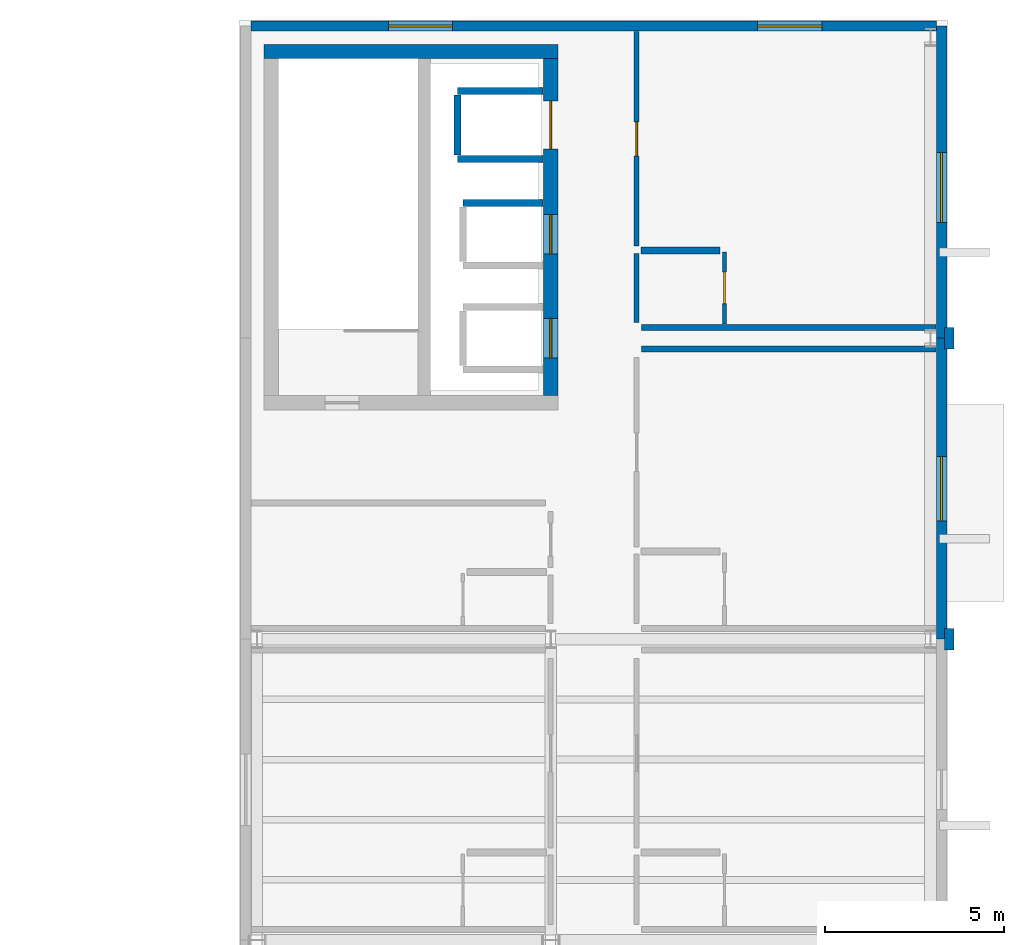
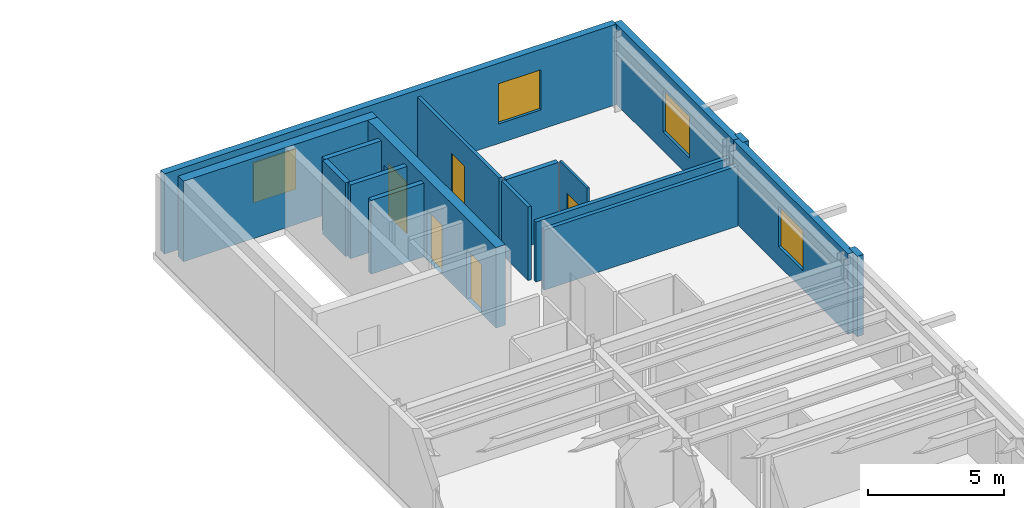
# One storey, part 17 of 19: 17 walls, 5 doors, 4 windows, 9 openings.
"""IFC4 building model written with IfcOpenShell, lengths in metres."""

from ifc_helpers import new_model, si_unit, direction, frame, frame_2d, origin, place, context, subcontext, project, spatial, rectangle, extrude, material, layer, layer_set, type_object, element, fill, save


model = new_model("IFC4")

# Units and contexts
model_context = context("Model", 3, precision=1e-05, world=origin(), true_north=direction((0.0, 1.0)))
body_context = subcontext(model_context, "Body", "Model", "MODEL_VIEW")
ifc_project = project(units=[si_unit("LENGTHUNIT", "METRE"), si_unit("AREAUNIT", "SQUARE_METRE"), si_unit("VOLUMEUNIT", "CUBIC_METRE"), si_unit("PLANEANGLEUNIT", "RADIAN"), si_unit("MASSUNIT", "GRAM", prefix="KILO")], contexts=[model_context])

# Site, building, storey
site_placement = place(None, origin())
site = spatial("IfcSite", under=ifc_project, at=site_placement, CompositionType="ELEMENT")
building_placement = place(site_placement, origin())
building = spatial("IfcBuilding", under=site, at=building_placement, Name="Sollismere Congress Hotel", CompositionType="ELEMENT")
storey_placement = place(building_placement, frame((0.0, 0.0, 44.60009765625)))
storey = spatial("IfcBuildingStorey", under=building, at=storey_placement, Name="L11", CompositionType="ELEMENT", Elevation=44.60009765625)

# Wall, opening, window
ifc_material_1 = material(Name="Colorado Buff Sandstone Rainscreen on Insulated Backup", Category="masonry")
ifc_layer_1 = layer(ifc_material_1, 0.284912109375, Name="Colorado Buff Sandstone Rainscreen on Insulated Backup")
ifc_layer_set_1 = layer_set([ifc_layer_1], Name="Colorado Buff Sandstone Rainscreen on Insulated Backup")
wall_type_1 = type_object("IfcWallType", Name="WL-EXT285", PredefinedType="STANDARD", material=ifc_layer_set_1)
wall_1_placement = place(storey_placement, frame((166.31005859375, 33.199951171875, 0.0), z_axis=(0.0, 0.0, 1.0), x_axis=(0.0, 1.0, 0.0)))
wall_1 = element("IfcWall", 1, at=wall_1_placement, inside=storey, type_object=wall_type_1, Name="Exterior wall EW-L11-1015", PredefinedType="STANDARD", context=body_context, shape_type="SweptSolid", body=[
    extrude(rectangle(XDim=8.400146484375, YDim=0.284912109375, at=frame_2d((4.2001953125, 0.0))), origin(), (0.0, 0.0, 1.0), 3.599853515625),
])
opening_1_placement = place(wall_1_placement, frame((3.300048828125, 0.0, 0.85009765625)))
opening_1 = element("IfcOpeningElement", 2, at=opening_1_placement, cuts=wall_1, Name="Opening W-L11-722", PredefinedType="OPENING", context=body_context, shape_type="SweptSolid", body=[
    extrude(rectangle(XDim=1.800048828125, YDim=1.800048828125, at=frame_2d((0.89990234375, 0.89990234375))), frame((0.0, 0.15234375, 0.0), z_axis=(0.0, -1.0, 0.0), x_axis=(1.0, 0.0, 0.0)), (0.0, 0.0, 1.0), 0.304931640625),
])
ifc_material_2 = material(Name="Thermally Broken Bronze Aluminum & Low-E Glass", Category="aluminium")
window_type_1 = type_object("IfcWindowType", Name="WN-P180x180", PartitioningType="SINGLE_PANEL", PredefinedType="WINDOW", material=ifc_material_2)
window_1_placement = place(opening_1_placement, origin())
window_1 = element("IfcWindow", 3, at=window_1_placement, inside=storey, type_object=window_type_1, Name="WIN-W-L11-722", OverallHeight=1.800048828125, OverallWidth=1.800048828125, PartitioningType="SINGLE_PANEL", PredefinedType="WINDOW", context=body_context, shape_type="SweptSolid", body=[
    extrude(rectangle(XDim=1.800048828125, YDim=1.800048828125, at=frame_2d((0.89990234375, 0.89990234375))), frame((0.0, 0.030029296875, 0.0), z_axis=(0.0, -1.0, 0.0), x_axis=(1.0, 0.0, 0.0)), (0.0, 0.0, 1.0), 0.06005859375),
])
fill(opening_1, window_1)

wall_2_placement = place(storey_placement, frame((166.31005859375, 41.60009765625, 0.0), z_axis=(0.0, 0.0, 1.0), x_axis=(0.0, 1.0, 0.0)))
wall_2 = element("IfcWall", 4, at=wall_2_placement, inside=storey, type_object=wall_type_1, Name="Exterior wall EW-L11-1017", PredefinedType="STANDARD", context=body_context, shape_type="SweptSolid", body=[
    extrude(rectangle(XDim=8.7099609375, YDim=0.284912109375, at=frame_2d((4.35498046875, 0.0))), origin(), (0.0, 0.0, 1.0), 3.599853515625),
])
opening_2_placement = place(wall_2_placement, frame((3.22509765625, 0.0, 0.85009765625)))
opening_2 = element("IfcOpeningElement", 5, at=opening_2_placement, cuts=wall_2, Name="Opening W-L11-723", PredefinedType="OPENING", context=body_context, shape_type="SweptSolid", body=[
    extrude(rectangle(XDim=1.949951171875, YDim=1.85009765625, at=frame_2d((0.97509765625, 0.925048828125))), frame((0.0, 0.15234375, 0.0), z_axis=(0.0, -1.0, 0.0), x_axis=(1.0, 0.0, 0.0)), (0.0, 0.0, 1.0), 0.304931640625),
])
window_type_2 = type_object("IfcWindowType", Name="WN-P195x185", PartitioningType="SINGLE_PANEL", PredefinedType="WINDOW", material=ifc_material_2)
window_2_placement = place(opening_2_placement, origin())
window_2 = element("IfcWindow", 6, at=window_2_placement, inside=storey, type_object=window_type_2, Name="WIN-W-L11-723", OverallHeight=1.85009765625, OverallWidth=1.949951171875, PartitioningType="SINGLE_PANEL", PredefinedType="WINDOW", context=body_context, shape_type="SweptSolid", body=[
    extrude(rectangle(XDim=1.949951171875, YDim=1.85009765625, at=frame_2d((0.97509765625, 0.925048828125))), frame((0.0, 0.030029296875, 0.0), z_axis=(0.0, -1.0, 0.0), x_axis=(1.0, 0.0, 0.0)), (0.0, 0.0, 1.0), 0.06005859375),
])
fill(opening_2, window_2)

# Wall, openings, windows
wall_3_placement = place(storey_placement, frame((166.16552734375, 50.31005859375, 0.0), z_axis=(0.0, 0.0, 1.0), x_axis=(-1.0, 0.0, 0.0)))
wall_3 = element("IfcWall", 7, at=wall_3_placement, inside=storey, type_object=wall_type_1, Name="Exterior wall EW-L11-1031", PredefinedType="STANDARD", context=body_context, shape_type="SweptSolid", body=[
    extrude(rectangle(XDim=19.131103515625, YDim=0.284912109375, at=frame_2d((9.5654296875, 0.0))), origin(), (0.0, 0.0, 1.0), 3.599853515625),
])
opening_3_placement = place(wall_3_placement, frame((3.199951171875, 0.0, 0.8798828125)))
opening_3 = element("IfcOpeningElement", 8, at=opening_3_placement, cuts=wall_3, Name="Opening W-L11-732", PredefinedType="OPENING", context=body_context, shape_type="SweptSolid", body=[
    extrude(rectangle(XDim=1.800048828125, YDim=1.800048828125, at=frame_2d((0.89990234375, 0.89990234375))), frame((0.0, 0.15234375, 0.0), z_axis=(0.0, -1.0, 0.0), x_axis=(1.0, 0.0, 0.0)), (0.0, 0.0, 1.0), 0.304931640625),
])
opening_4_placement = place(wall_3_placement, frame((13.5, 0.0, 0.8798828125)))
opening_4 = element("IfcOpeningElement", 9, at=opening_4_placement, cuts=wall_3, Name="Opening W-L11-733", PredefinedType="OPENING", context=body_context, shape_type="SweptSolid", body=[
    extrude(rectangle(XDim=1.800048828125, YDim=1.800048828125, at=frame_2d((0.89990234375, 0.89990234375))), frame((0.0, 0.15234375, 0.0), z_axis=(0.0, -1.0, 0.0), x_axis=(1.0, 0.0, 0.0)), (0.0, 0.0, 1.0), 0.304931640625),
])
window_3_placement = place(opening_3_placement, origin())
window_3 = element("IfcWindow", 10, at=window_3_placement, inside=storey, type_object=window_type_1, Name="WIN-W-L11-732", OverallHeight=1.800048828125, OverallWidth=1.800048828125, PartitioningType="SINGLE_PANEL", PredefinedType="WINDOW", context=body_context, shape_type="SweptSolid", body=[
    extrude(rectangle(XDim=1.800048828125, YDim=1.800048828125, at=frame_2d((0.89990234375, 0.89990234375))), frame((0.0, 0.030029296875, 0.0), z_axis=(0.0, -1.0, 0.0), x_axis=(1.0, 0.0, 0.0)), (0.0, 0.0, 1.0), 0.06005859375),
])
fill(opening_3, window_3)
window_4_placement = place(opening_4_placement, origin())
window_4 = element("IfcWindow", 11, at=window_4_placement, inside=storey, type_object=window_type_1, Name="WIN-W-L11-733", OverallHeight=1.800048828125, OverallWidth=1.800048828125, PartitioningType="SINGLE_PANEL", PredefinedType="WINDOW", context=body_context, shape_type="SweptSolid", body=[
    extrude(rectangle(XDim=1.800048828125, YDim=1.800048828125, at=frame_2d((0.89990234375, 0.89990234375))), frame((0.0, 0.030029296875, 0.0), z_axis=(0.0, -1.0, 0.0), x_axis=(1.0, 0.0, 0.0)), (0.0, 0.0, 1.0), 0.06005859375),
])
fill(opening_4, window_4)

# Walls
ifc_material_3 = material(Name="Carved Travertine Pilaster & Frieze Assembly", Category="masonry")
ifc_layer_2 = layer(ifc_material_3, 0.260009765625, Name="Carved Travertine Pilaster & Frieze Assembly")
ifc_layer_set_2 = layer_set([ifc_layer_2], Name="Carved Travertine Pilaster & Frieze Assembly")
wall_type_2 = type_object("IfcWallType", Name="WL-PIL280", PredefinedType="ELEMENTEDWALL", material=ifc_layer_set_2)
wall_4_placement = place(storey_placement, frame((166.52001953125, 32.89990234375, 0.0), z_axis=(0.0, 0.0, 1.0), x_axis=(0.0, 1.0, 0.0)))
element("IfcWall", 12, at=wall_4_placement, inside=storey, type_object=wall_type_2, Name="Exterior wall EW-L11-1016", PredefinedType="ELEMENTEDWALL", context=body_context, shape_type="SweptSolid", body=[
    extrude(rectangle(XDim=0.60009765625, YDim=0.260009765625, at=frame_2d((0.300048828125, 0.0))), origin(), (0.0, 0.0, 1.0), 3.599853515625),
])
wall_5_placement = place(storey_placement, frame((166.52001953125, 41.300048828125, 0.0), z_axis=(0.0, 0.0, 1.0), x_axis=(0.0, 1.0, 0.0)))
element("IfcWall", 13, at=wall_5_placement, inside=storey, type_object=wall_type_2, Name="Exterior wall EW-L11-1018", PredefinedType="ELEMENTEDWALL", context=body_context, shape_type="SweptSolid", body=[
    extrude(rectangle(XDim=0.599853515625, YDim=0.260009765625, at=frame_2d((0.2998046875, 0.0))), origin(), (0.0, 0.0, 1.0), 3.599853515625),
])
ifc_material_4 = material(Name="Moisture-Resistant Shaft Gypsum Assembly")
ifc_layer_3 = layer(ifc_material_4, 0.199951171875, Name="Moisture-Resistant Shaft Gypsum Assembly")
ifc_layer_set_3 = layer_set([ifc_layer_3], Name="Moisture-Resistant Shaft Gypsum Assembly")
wall_type_3 = type_object("IfcWallType", Name="WL-PLM200", PredefinedType="PLUMBINGWALL", material=ifc_layer_set_3)
wall_6_placement = place(storey_placement, frame((152.955078125, 45.3701171875, 0.0), z_axis=(0.0, 0.0, 1.0), x_axis=(1.0, 0.0, 0.0)))
element("IfcWall", 14, at=wall_6_placement, inside=storey, type_object=wall_type_3, Name="Interior wall IW-L11-0555", PredefinedType="PLUMBINGWALL", context=body_context, shape_type="SweptSolid", body=[
    extrude(rectangle(XDim=2.23291015625, YDim=0.199951171875, at=frame_2d((1.116455078125, 0.0))), origin(), (0.0, 0.0, 1.0), 3.2998046875),
])
for number, where, z_axis, x_axis, name in (
    (15, (152.800048828125, 46.60498046875, 0.0), (0.0, 0.0, 1.0), (1.0, 0.0, 0.0), "Interior wall IW-L11-0557"),
    (16, (152.800048828125, 48.4951171875, 0.0), (0.0, 0.0, 1.0), (1.0, 0.0, 0.0), "Interior wall IW-L11-0558"),
):
    element("IfcWall", number, at=place(storey_placement, frame(where, z_axis=z_axis, x_axis=x_axis)), inside=storey, type_object=wall_type_3, Name=name, PredefinedType="PLUMBINGWALL", context=body_context, shape_type="SweptSolid", body=[
        extrude(rectangle(XDim=2.387939453125, YDim=0.199951171875, at=frame_2d((1.19384765625, 0.0))), origin(), (0.0, 0.0, 1.0), 3.2998046875),
    ])
wall_7_placement = place(storey_placement, frame((152.800048828125, 46.717041015625, 0.0), z_axis=(0.0, 0.0, 1.0), x_axis=(0.0, 1.0, 0.0)))
element("IfcWall", 17, at=wall_7_placement, inside=storey, type_object=wall_type_3, Name="Interior wall IW-L11-0559", PredefinedType="PLUMBINGWALL", context=body_context, shape_type="SweptSolid", body=[
    extrude(rectangle(XDim=1.666015625, YDim=0.199951171875, at=frame_2d((0.8330078125, 0.0))), origin(), (0.0, 0.0, 1.0), 3.2998046875),
])
wall_8_placement = place(storey_placement, frame((157.919921875, 44.050048828125, 0.0), z_axis=(0.0, 0.0, 1.0), x_axis=(1.0, 0.0, 0.0)))
element("IfcWall", 18, at=wall_8_placement, inside=storey, type_object=wall_type_3, Name="Interior wall IW-L11-2974", PredefinedType="PLUMBINGWALL", context=body_context, shape_type="SweptSolid", body=[
    extrude(rectangle(XDim=2.2099609375, YDim=0.199951171875, at=frame_2d((1.10498046875, 0.0))), origin(), (0.0, 0.0, 1.0), 3.2998046875),
])

# Wall, opening, door
ifc_material_5 = material(Name="Moisture-Resistant Gypsum Partition")
ifc_layer_4 = layer(ifc_material_5, 0.10009765625, Name="Moisture-Resistant Gypsum Partition")
ifc_layer_set_4 = layer_set([ifc_layer_4], Name="Moisture-Resistant Gypsum Partition")
wall_type_4 = type_object("IfcWallType", Name="WL-PRT100", PredefinedType="PARTITIONING", material=ifc_layer_set_4)
wall_9_placement = place(storey_placement, frame((160.25, 41.994384765625, 0.0), z_axis=(0.0, 0.0, 1.0), x_axis=(0.0, 1.0, 0.0)))
wall_9 = element("IfcWall", 19, at=wall_9_placement, inside=storey, type_object=wall_type_4, Name="Interior wall IW-L11-2975", PredefinedType="PARTITIONING", context=body_context, shape_type="SweptSolid", body=[
    extrude(rectangle(XDim=2.015625, YDim=0.10009765625, at=frame_2d((1.0078125, 0.0))), origin(), (0.0, 0.0, 1.0), 3.2998046875),
])
opening_5_placement = place(wall_9_placement, frame((0.568115234375, 0.0, 0.0)))
opening_5 = element("IfcOpeningElement", 20, at=opening_5_placement, cuts=wall_9, Name="Opening D-L11-1051", PredefinedType="OPENING", context=body_context, shape_type="SweptSolid", body=[
    extrude(rectangle(XDim=0.8798828125, YDim=2.179931640625, at=frame_2d((0.43994140625, 1.08984375))), frame((0.0, 0.06005859375, 0.0), z_axis=(0.0, -1.0, 0.0), x_axis=(1.0, 0.0, 0.0)), (0.0, 0.0, 1.0), 0.1201171875),
])
ifc_material_6 = material(Name="Moisture-Sealed Timber Bathroom Door", Category="wood")
door_type_1 = type_object("IfcDoorType", Name="DR-BT05", OperationType="NOTDEFINED", PredefinedType="DOOR", material=ifc_material_6)
door_1_placement = place(opening_5_placement, origin())
door_1 = element("IfcDoor", 21, at=door_1_placement, inside=storey, type_object=door_type_1, Name="En-suite bathroom door D-L11-1051", OperationType="SINGLE_SWING_RIGHT", OverallHeight=2.179931640625, OverallWidth=0.8798828125, PredefinedType="DOOR", context=body_context, shape_type="SweptSolid", body=[
    extrude(rectangle(XDim=0.8798828125, YDim=2.179931640625, at=frame_2d((0.43994140625, 1.08984375))), frame((0.0, 0.02490234375, 0.0), z_axis=(0.0, -1.0, 0.0), x_axis=(1.0, 0.0, 0.0)), (0.0, 0.0, 1.0), 0.050048828125),
])
fill(opening_5, door_1)

# Wall
ifc_material_7 = material(Name="Fire-Rated Gypsum Partition")
ifc_layer_5 = layer(ifc_material_7, 0.139892578125, Name="Fire-Rated Gypsum Partition")
ifc_layer_set_5 = layer_set([ifc_layer_5], Name="Fire-Rated Gypsum Partition")
wall_type_5 = type_object("IfcWallType", Name="WL-PRT140R", PredefinedType="PARTITIONING", material=ifc_layer_set_5)
wall_10_placement = place(storey_placement, frame((157.800048828125, 42.0400390625, 0.0), z_axis=(0.0, 0.0, 1.0), x_axis=(0.0, 1.0, 0.0)))
element("IfcWall", 22, at=wall_10_placement, inside=storey, type_object=wall_type_5, Name="Interior wall IW-L11-2971", PredefinedType="PARTITIONING", context=body_context, shape_type="SweptSolid", body=[
    extrude(rectangle(XDim=1.929931640625, YDim=0.139892578125, at=frame_2d((0.96484375, 0.0))), origin(), (0.0, 0.0, 1.0), 3.2998046875),
])

# Wall, opening, door
wall_11_placement = place(storey_placement, frame((157.800048828125, 44.169921875, 0.0), z_axis=(0.0, 0.0, 1.0), x_axis=(0.0, 1.0, 0.0)))
wall_11 = element("IfcWall", 23, at=wall_11_placement, inside=storey, type_object=wall_type_5, Name="Interior wall IW-L11-2972", PredefinedType="PARTITIONING", context=body_context, shape_type="SweptSolid", body=[
    extrude(rectangle(XDim=5.982666015625, YDim=0.139892578125, at=frame_2d((2.9912109375, 0.0))), origin(), (0.0, 0.0, 1.0), 3.2998046875),
])
opening_6_placement = place(wall_11_placement, frame((2.51611328125, 0.0, 0.0)))
opening_6 = element("IfcOpeningElement", 24, at=opening_6_placement, cuts=wall_11, Name="Opening D-L11-1050", PredefinedType="OPENING", context=body_context, shape_type="SweptSolid", body=[
    extrude(rectangle(XDim=0.949951171875, YDim=2.300048828125, at=frame_2d((0.47509765625, 1.14990234375))), frame((0.0, 0.079833984375, 0.0), z_axis=(0.0, -1.0, 0.0), x_axis=(1.0, 0.0, 0.0)), (0.0, 0.0, 1.0), 0.159912109375),
])
ifc_material_8 = material(Name="Solid-Core Acoustic Walnut Guestroom Entry Door")
door_type_2 = type_object("IfcDoorType", Name="DR-KY08", OperationType="NOTDEFINED", PredefinedType="DOOR", material=ifc_material_8)
door_2_placement = place(opening_6_placement, origin())
door_2 = element("IfcDoor", 25, at=door_2_placement, inside=storey, type_object=door_type_2, Name="Hotel room entry door D-L11-1050", OperationType="SINGLE_SWING_LEFT", OverallHeight=2.300048828125, OverallWidth=0.949951171875, PredefinedType="DOOR", context=body_context, shape_type="SweptSolid", body=[
    extrude(rectangle(XDim=0.949951171875, YDim=2.300048828125, at=frame_2d((0.47509765625, 1.14990234375))), frame((0.0, 0.02490234375, 0.0), z_axis=(0.0, -1.0, 0.0), x_axis=(1.0, 0.0, 0.0)), (0.0, 0.0, 1.0), 0.050048828125),
])
fill(opening_6, door_2)

# Walls
ifc_material_9 = material(Name="Fire-Rated Acoustic Gypsum Partition")
ifc_layer_6 = layer(ifc_material_9, 0.1650390625, Name="Fire-Rated Acoustic Gypsum Partition")
ifc_layer_set_6 = layer_set([ifc_layer_6], Name="Fire-Rated Acoustic Gypsum Partition")
wall_type_6 = type_object("IfcWallType", Name="WL-PRT165R", PredefinedType="PARTITIONING", material=ifc_layer_set_6)
for number, where, z_axis, x_axis, name in (
    (26, (157.93994140625, 41.300048828125, 0.0), (0.0, 0.0, 1.0), (1.0, 0.0, 0.0), "Interior wall IW-L11-2962"),
    (27, (157.93994140625, 41.89990234375, 0.0), (0.0, 0.0, 1.0), (1.0, 0.0, 0.0), "Interior wall IW-L11-2973"),
):
    element("IfcWall", number, at=place(storey_placement, frame(where, z_axis=z_axis, x_axis=x_axis)), inside=storey, type_object=wall_type_6, Name=name, PredefinedType="PARTITIONING", context=body_context, shape_type="SweptSolid", body=[
        extrude(rectangle(XDim=8.212646484375, YDim=0.1650390625, at=frame_2d((4.1064453125, 0.0))), origin(), (0.0, 0.0, 1.0), 2.68994140625),
    ])
ifc_material_10 = material(Name="Concrete C50/60", Category="concrete")
ifc_layer_7 = layer(ifc_material_10, 0.39990234375, Name="Concrete C50/60")
ifc_layer_set_7 = layer_set([ifc_layer_7], Name="Concrete C50/60")
wall_type_7 = type_object("IfcWallType", Name="WL-SHR400", PredefinedType="SHEAR", material=ifc_layer_set_7)
wall_12_placement = place(storey_placement, frame((155.60009765625, 49.60009765625, 0.0), z_axis=(0.0, 0.0, 1.0), x_axis=(-1.0, 0.0, 0.0)))
element("IfcWall", 28, at=wall_12_placement, inside=storey, type_object=wall_type_7, Name="Interior wall IW-L11-0547", PredefinedType="SHEAR", context=body_context, shape_type="SweptSolid", body=[
    extrude(rectangle(XDim=8.2001953125, YDim=0.39990234375, at=frame_2d((4.10009765625, 0.0))), origin(), (0.0, 0.0, 1.0), 3.599853515625),
])

# Wall, openings, doors
wall_13_placement = place(storey_placement, frame((155.39990234375, 40.0, 0.0), z_axis=(0.0, 0.0, 1.0), x_axis=(0.0, 1.0, 0.0)))
wall_13 = element("IfcWall", 29, at=wall_13_placement, inside=storey, type_object=wall_type_7, Name="Interior wall IW-L11-0549", PredefinedType="SHEAR", context=body_context, shape_type="SweptSolid", body=[
    extrude(rectangle(XDim=9.39990234375, YDim=0.39990234375, at=frame_2d((4.699951171875, 0.0))), origin(), (0.0, 0.0, 1.0), 3.599853515625),
])
opening_7_placement = place(wall_13_placement, frame((1.050048828125, 0.0, 0.0)))
opening_7 = element("IfcOpeningElement", 30, at=opening_7_placement, cuts=wall_13, Name="Opening LD-LP-05-L11", PredefinedType="OPENING", context=body_context, shape_type="SweptSolid", body=[
    extrude(rectangle(XDim=1.10009765625, YDim=2.199951171875, at=frame_2d((0.550048828125, 1.10009765625))), frame((0.0, 0.2099609375, 0.0), z_axis=(0.0, -1.0, 0.0), x_axis=(1.0, 0.0, 0.0)), (0.0, 0.0, 1.0), 0.419921875),
])
opening_8_placement = place(wall_13_placement, frame((3.949951171875, 0.0, 0.0)))
opening_8 = element("IfcOpeningElement", 31, at=opening_8_placement, cuts=wall_13, Name="Opening LD-LP-06-L11", PredefinedType="OPENING", context=body_context, shape_type="SweptSolid", body=[
    extrude(rectangle(XDim=1.10009765625, YDim=2.199951171875, at=frame_2d((0.550048828125, 1.10009765625))), frame((0.0, 0.2099609375, 0.0), z_axis=(0.0, -1.0, 0.0), x_axis=(1.0, 0.0, 0.0)), (0.0, 0.0, 1.0), 0.419921875),
])
opening_9_placement = place(wall_13_placement, frame((6.875, 0.0, 0.0)))
opening_9 = element("IfcOpeningElement", 32, at=opening_9_placement, cuts=wall_13, Name="Opening LD-LS-02-L11", PredefinedType="OPENING", context=body_context, shape_type="SweptSolid", body=[
    extrude(rectangle(XDim=1.35009765625, YDim=2.300048828125, at=frame_2d((0.675048828125, 1.14990234375))), frame((0.0, 0.2099609375, 0.0), z_axis=(0.0, -1.0, 0.0), x_axis=(1.0, 0.0, 0.0)), (0.0, 0.0, 1.0), 0.419921875),
])
ifc_material_11 = material(Name="Brushed Bronze Sliding Elevator Landing Door")
door_type_3 = type_object("IfcDoorType", Name="DR-LD110", OperationType="NOTDEFINED", PredefinedType="DOOR", material=ifc_material_11)
door_3_placement = place(opening_7_placement, origin())
door_3 = element("IfcDoor", 33, at=door_3_placement, inside=storey, type_object=door_type_3, Name="Elevator landing door LD-LP-05-L11", OperationType="SLIDING_TO_LEFT", OverallHeight=2.199951171875, OverallWidth=1.10009765625, PredefinedType="DOOR", context=body_context, shape_type="SweptSolid", body=[
    extrude(rectangle(XDim=1.10009765625, YDim=2.199951171875, at=frame_2d((0.550048828125, 1.10009765625))), frame((0.0, 0.02490234375, 0.0), z_axis=(0.0, -1.0, 0.0), x_axis=(1.0, 0.0, 0.0)), (0.0, 0.0, 1.0), 0.050048828125),
])
fill(opening_7, door_3)
door_4_placement = place(opening_8_placement, origin())
door_4 = element("IfcDoor", 34, at=door_4_placement, inside=storey, type_object=door_type_3, Name="Elevator landing door LD-LP-06-L11", OperationType="SLIDING_TO_RIGHT", OverallHeight=2.199951171875, OverallWidth=1.10009765625, PredefinedType="DOOR", context=body_context, shape_type="SweptSolid", body=[
    extrude(rectangle(XDim=1.10009765625, YDim=2.199951171875, at=frame_2d((0.550048828125, 1.10009765625))), frame((0.0, 0.02490234375, 0.0), z_axis=(0.0, -1.0, 0.0), x_axis=(1.0, 0.0, 0.0)), (0.0, 0.0, 1.0), 0.050048828125),
])
fill(opening_8, door_4)
ifc_material_12 = material(Name="Heavy-Duty Stainless Sliding Service Landing Door")
door_type_4 = type_object("IfcDoorType", Name="DR-LD135", OperationType="NOTDEFINED", PredefinedType="DOOR", material=ifc_material_12)
door_5_placement = place(opening_9_placement, origin())
door_5 = element("IfcDoor", 35, at=door_5_placement, inside=storey, type_object=door_type_4, Name="Elevator landing door LD-LS-02-L11", OperationType="SLIDING_TO_LEFT", OverallHeight=2.300048828125, OverallWidth=1.35009765625, PredefinedType="DOOR", context=body_context, shape_type="SweptSolid", body=[
    extrude(rectangle(XDim=1.35009765625, YDim=2.300048828125, at=frame_2d((0.675048828125, 1.14990234375))), frame((0.0, 0.02490234375, 0.0), z_axis=(0.0, -1.0, 0.0), x_axis=(1.0, 0.0, 0.0)), (0.0, 0.0, 1.0), 0.050048828125),
])
fill(opening_9, door_5)

save(model, "model.ifc")
